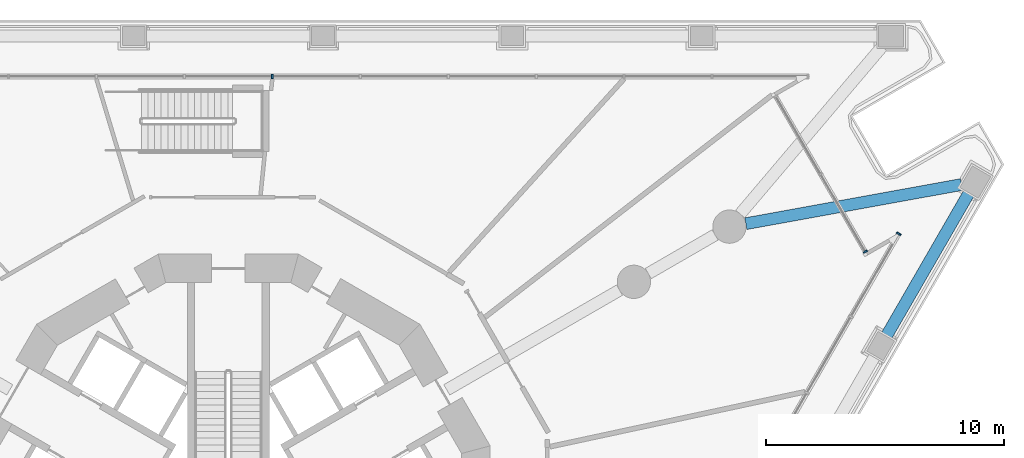
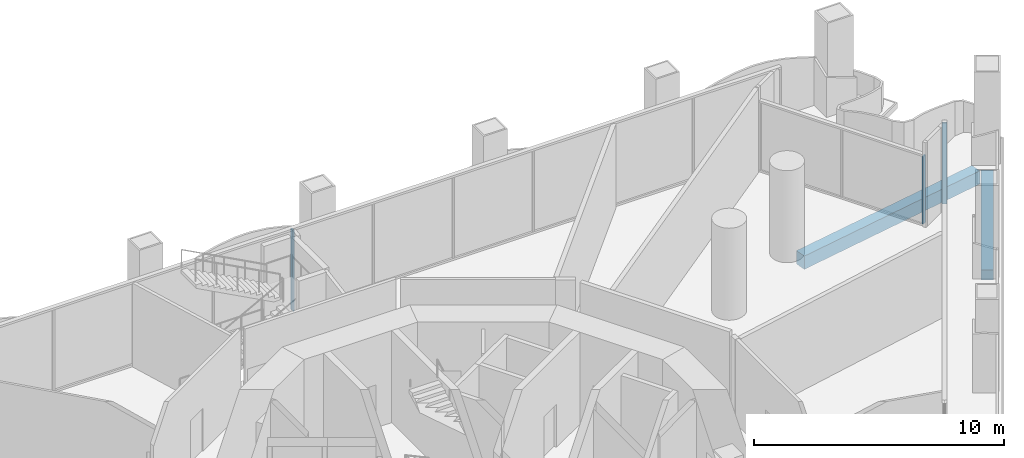
# One storey, part 7 of 23: 3 members, 2 beams, 3 elements without a shape of their own.
"""IFC4 building model written with IfcOpenShell, lengths in metres."""

from ifc_helpers import new_model, si_unit, direction, frame, origin, origin_2d, place, context, subcontext, project, spatial, rectangle, extrude, material, layer, layer_set, material_profile, profile_set, type_object, element, aggregate, save


model = new_model("IFC4")

# Units and contexts
model_context = context("Model", 3, precision=1e-05, world=origin(), true_north=direction((0.0, 1.0)))
body_context = subcontext(model_context, "Body", "Model", "MODEL_VIEW")
ifc_project = project(units=[si_unit("LENGTHUNIT", "METRE"), si_unit("AREAUNIT", "SQUARE_METRE"), si_unit("VOLUMEUNIT", "CUBIC_METRE"), si_unit("PLANEANGLEUNIT", "RADIAN"), si_unit("MASSUNIT", "GRAM", prefix="KILO")], contexts=[model_context])

# Site, building, storey
site_placement = place(None, origin())
site = spatial("IfcSite", under=ifc_project, at=site_placement, CompositionType="ELEMENT")
building_placement = place(site_placement, origin())
building = spatial("IfcBuilding", under=site, at=building_placement, Name="Trine Commons Tower", CompositionType="ELEMENT")
storey_placement = place(building_placement, frame((0.0, 0.0, 18.0)))
storey = spatial("IfcBuildingStorey", under=building, at=storey_placement, Name="L03", CompositionType="ELEMENT", Elevation=18.0)

# Curtain wall, member
ifc_material_1 = material(Name="Corner pocket glazing: anodised aluminium frame with low-emissivity double glazed unit, laminated", Category="aluminium")
ifc_layer_1 = layer(ifc_material_1, 0.179931640625)
ifc_layer_set_1 = layer_set([ifc_layer_1], Name="Corner pocket glazing: anodised aluminium frame with low-emissivity double glazed unit, laminated")
curtain_wall_type_1 = type_object("IfcCurtainWallType", Name="Corner pocket glazing curtain wall CW8", PredefinedType="NOTDEFINED", material=ifc_layer_set_1)
curtain_wall_1_placement = place(storey_placement, origin())
curtain_wall_1 = element("IfcCurtainWall", 1, at=curtain_wall_1_placement, inside=storey, type_object=curtain_wall_type_1, Name="Corner pocket glazing L03 P2.1", PredefinedType="NOTDEFINED")
ifc_material_2 = material(Name="Anodised aluminium, bronze finish", Category="aluminium")
ifc_material_profile_1 = material_profile(ifc_material_2, rectangle(XDim=0.179931640625, YDim=0.06494140625, at=origin_2d()), Name="Mullion 65x180")
ifc_profile_set_1 = profile_set([ifc_material_profile_1], Name="Anodised aluminium, bronze finish")
member_type_1 = type_object("IfcMemberType", Name="Mullion 65x180, Anodised aluminium, bronze finish", PredefinedType="MULLION", material=ifc_profile_set_1)
member_1_placement = place(storey_placement, frame((106.7900390625, 73.616943359375, 0.090087890625), z_axis=(0.0, 0.0, 1.0), x_axis=(0.866025403784, 0.5, 0.0)))
member_1 = element("IfcMember", 2, at=member_1_placement, type_object=member_type_1, Name="CW8 mullion 3.1", PredefinedType="MULLION", context=body_context, shape_type="SweptSolid", body=[
    extrude(rectangle(XDim=0.179931640625, YDim=0.06494140625, at=origin_2d()), origin(), (0.0, 0.0, 1.0), 3.2998046875),
])
aggregate(curtain_wall_1, [member_1])

ifc_material_3 = material(Name="Podium glazing: anodised aluminium frame with low-emissivity double glazed unit", Category="aluminium")
ifc_layer_2 = layer(ifc_material_3, 0.199951171875)
ifc_layer_set_2 = layer_set([ifc_layer_2], Name="Podium glazing: anodised aluminium frame with low-emissivity double glazed unit")
curtain_wall_type_2 = type_object("IfcCurtainWallType", Name="Podium glazing curtain wall CW3", PredefinedType="NOTDEFINED", material=ifc_layer_set_2)
curtain_wall_2_placement = place(storey_placement, origin())
curtain_wall_2 = element("IfcCurtainWall", 3, at=curtain_wall_2_placement, inside=storey, type_object=curtain_wall_type_2, Name="Podium glazing L03 F1.2", PredefinedType="NOTDEFINED")
ifc_material_profile_2 = material_profile(ifc_material_2, rectangle(XDim=0.199951171875, YDim=0.074951171875, at=origin_2d()), Name="Mullion 75x200")
ifc_profile_set_2 = profile_set([ifc_material_profile_2], Name="Anodised aluminium, bronze finish")
member_type_2 = type_object("IfcMemberType", Name="Mullion 75x200, Anodised aluminium, bronze finish", PredefinedType="MULLION", material=ifc_profile_set_2)
member_2_placement = place(storey_placement, frame((81.84912109375, 80.984619140625, 0.10009765625), z_axis=(0.0, 0.0, 1.0), x_axis=(0.0, 1.0, 0.0)))
member_2 = element("IfcMember", 4, at=member_2_placement, type_object=member_type_2, Name="CW3 mullion 6.1", PredefinedType="MULLION", context=body_context, shape_type="SweptSolid", body=[
    extrude(rectangle(XDim=0.199951171875, YDim=0.074951171875, at=origin_2d()), origin(), (0.0, 0.0, 1.0), 3.949951171875),
])
aggregate(curtain_wall_2, [member_2])

curtain_wall_3_placement = place(storey_placement, origin())
curtain_wall_3 = element("IfcCurtainWall", 5, at=curtain_wall_3_placement, inside=storey, type_object=curtain_wall_type_2, Name="Podium glazing L03 F2.1", PredefinedType="NOTDEFINED")
member_3_placement = place(storey_placement, frame((108.197509765625, 74.370361328125, 0.10009765625), z_axis=(0.0, 0.0, 1.0), x_axis=(0.866025403784, -0.5, 0.0)))
member_3 = element("IfcMember", 6, at=member_3_placement, type_object=member_type_2, Name="CW3 mullion 1.1", PredefinedType="MULLION", context=body_context, shape_type="SweptSolid", body=[
    extrude(rectangle(XDim=0.199951171875, YDim=0.074951171875, at=origin_2d()), origin(), (0.0, 0.0, 1.0), 3.949951171875),
])
aggregate(curtain_wall_3, [member_3])

# Beams
ifc_material_4 = material(Name="Concrete C50/60", Category="concrete")
ifc_material_profile_3 = material_profile(ifc_material_4, rectangle(XDim=0.5, YDim=0.5, at=origin_2d()), Name="RC 500x500")
ifc_profile_set_3 = profile_set([ifc_material_profile_3], Name="Concrete C50/60")
beam_type_1 = type_object("IfcBeamType", Name="RC beam 500x500, C50/60", PredefinedType="BEAM", material=ifc_profile_set_3)
beam_1_placement = place(storey_placement, frame((111.15380859375, 76.0908203125, -0.60009765625), z_axis=(-0.49999660792, -0.866027362194, 0.0), x_axis=(0.866027362194, -0.49999660792, 0.0)))
element("IfcBeam", 7, at=beam_1_placement, inside=storey, type_object=beam_type_1, Name="Beam EB1-15 L03", PredefinedType="BEAM", context=body_context, shape_type="SweptSolid", body=[
    extrude(rectangle(XDim=0.5, YDim=0.5, at=origin_2d()), origin(), (0.0, 0.0, 1.0), 6.96337890625),
])
ifc_material_profile_4 = material_profile(ifc_material_4, rectangle(XDim=0.5, YDim=0.64990234375, at=origin_2d()), Name="RC 500x650")
ifc_profile_set_4 = profile_set([ifc_material_profile_4], Name="Concrete C50/60")
beam_type_2 = type_object("IfcBeamType", Name="RC beam 500x650, C50/60", PredefinedType="BEAM", material=ifc_profile_set_4)
beam_2_placement = place(storey_placement, frame((110.8359375, 76.440185546875, -0.675048828125), z_axis=(-0.983921563764, -0.178601109628, 0.0), x_axis=(0.178601109628, -0.983921563764, 0.0)))
element("IfcBeam", 8, at=beam_2_placement, inside=storey, type_object=beam_type_2, Name="Beam CB1-04 L03", PredefinedType="BEAM", context=body_context, shape_type="SweptSolid", body=[
    extrude(rectangle(XDim=0.5, YDim=0.64990234375, at=origin_2d()), origin(), (0.0, 0.0, 1.0), 9.21875),
])

save(model, "model.ifc")
